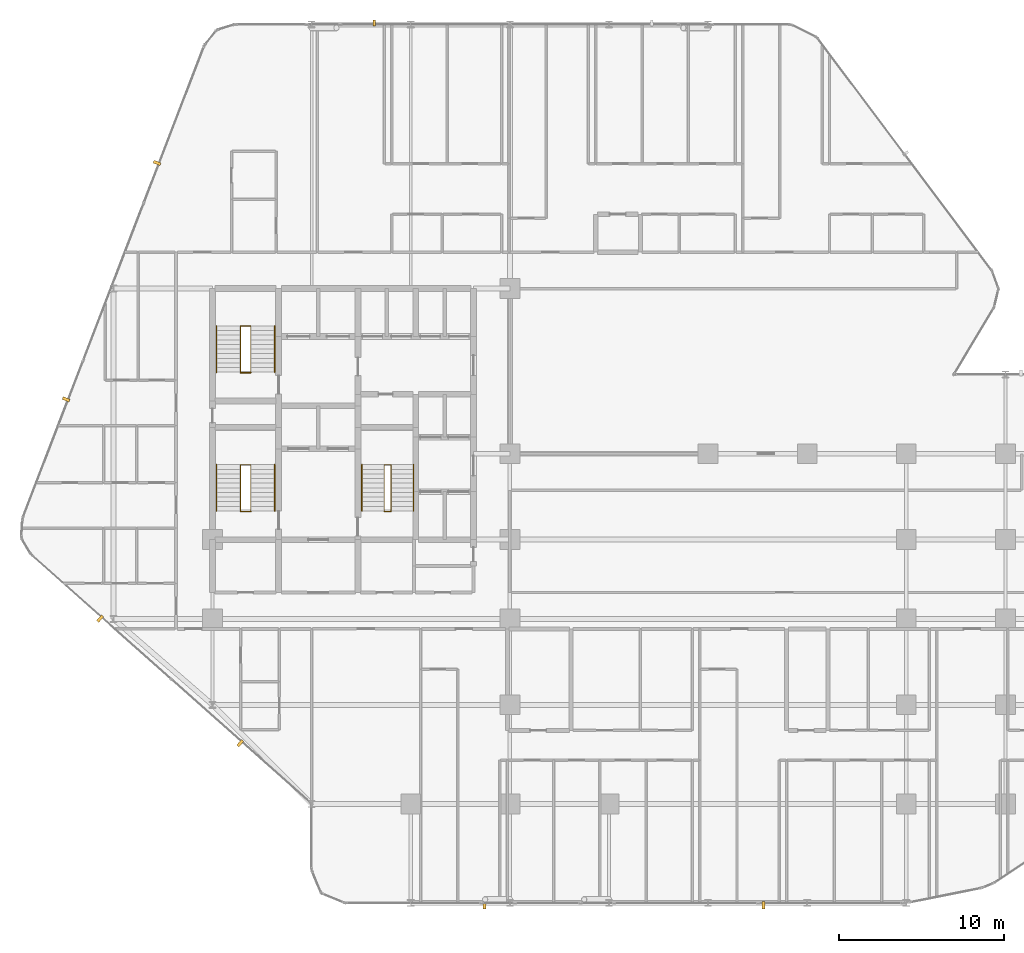
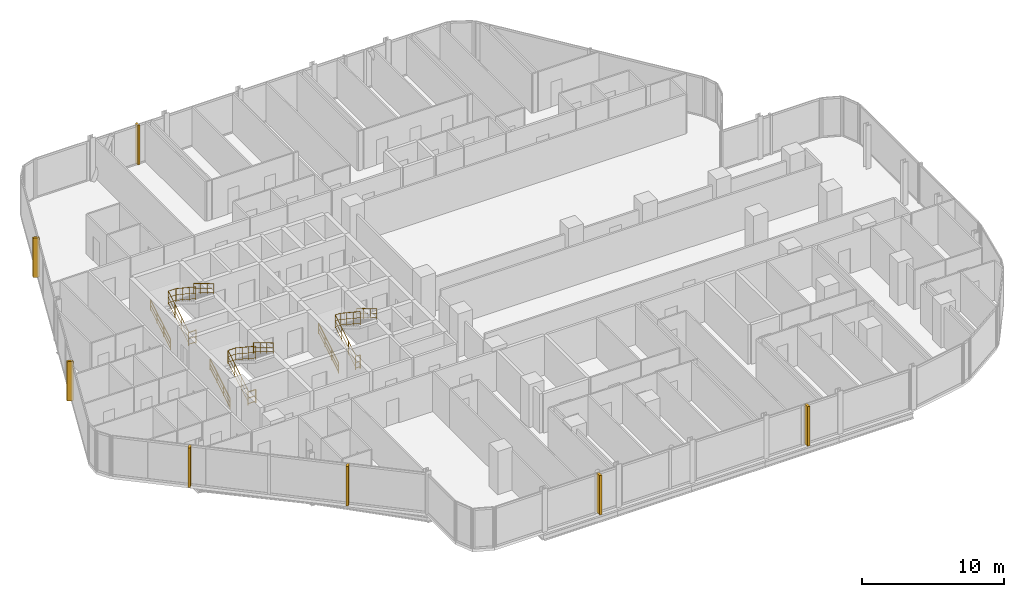
# One storey, part 33 of 34: 12 railings, 7 coverings.
"""IFC4 building model written with IfcOpenShell, lengths in metres."""

from ifc_helpers import new_model, si_unit, direction, frame, origin, origin_2d, place, context, subcontext, project, spatial, rectangle, circle, extrude, material, layer, layer_set, type_object, element, save


model = new_model("IFC4")

# Units and contexts
model_context = context("Model", 3, precision=1e-05, world=origin(), true_north=direction((0.0, 1.0)))
body_context = subcontext(model_context, "Body", "Model", "MODEL_VIEW")
ifc_project = project(units=[si_unit("LENGTHUNIT", "METRE"), si_unit("AREAUNIT", "SQUARE_METRE"), si_unit("VOLUMEUNIT", "CUBIC_METRE"), si_unit("PLANEANGLEUNIT", "RADIAN"), si_unit("MASSUNIT", "GRAM", prefix="KILO")], contexts=[model_context])

# Site, building, storey
site_placement = place(None, origin())
site = spatial("IfcSite", under=ifc_project, at=site_placement, CompositionType="ELEMENT")
building_placement = place(site_placement, origin())
building = spatial("IfcBuilding", under=site, at=building_placement, Name="Keshet Zoharim Tower", CompositionType="ELEMENT")
storey_placement = place(building_placement, frame((0.0, 0.0, 53.60009765625)))
storey = spatial("IfcBuildingStorey", under=building, at=storey_placement, Name="L12", CompositionType="ELEMENT", Elevation=53.60009765625)

# Coverings
ifc_material_1 = material(Name="Concrete C50/60 precast", Category="concrete")
covering_type_1 = type_object("IfcCoveringType", Name="FIN-SOL-360", PredefinedType="CLADDING", material=ifc_material_1)
covering_placement = place(storey_placement, frame((24.780029296875, 53.97998046875, 0.0), z_axis=(0.0, 0.0, 1.0), x_axis=(1.0, 0.0, 0.0)))
element("IfcCovering", 1, at=covering_placement, inside=storey, type_object=covering_type_1, Name="L12 Vertical Precast Solar Fin 05", PredefinedType="CLADDING", context=body_context, shape_type="SweptSolid", body=[
    extrude(rectangle(XDim=0.159912109375, YDim=0.360107421875, at=origin_2d()), origin(), (0.0, 0.0, 1.0), 3.385009765625),
])
covering_type_2 = type_object("IfcCoveringType", Name="FIN-SOL-450", PredefinedType="CLADDING", material=ifc_material_1)
for number, where, z_axis, x_axis, name in (
    (2, (16.676025390625, 10.376953125, 0.0), (0.0, 0.0, 1.0), (-0.747409318679, 0.664363838836, 0.0), "L12 Vertical Precast Solar Fin 01"),
    (3, (8.193115234375, 17.9169921875, 0.0), (0.0, 0.0, 1.0), (-0.747409318679, 0.664363838836, 0.0), "L12 Vertical Precast Solar Fin 02"),
    (4, (6.133056640625, 31.194091796875, 0.0), (0.0, 0.0, 1.0), (0.358990003907, 0.933341404361, 0.0), "L12 Vertical Precast Solar Fin 03"),
    (5, (11.637939453125, 45.507080078125, 0.0), (0.0, 0.0, 1.0), (0.358990003907, 0.933341404361, 0.0), "L12 Vertical Precast Solar Fin 04"),
    (6, (48.35205078125, 0.574951171875, 0.0), (0.0, 0.0, 1.0), (-1.0, 0.0, 0.0), "L12 Vertical Precast Solar Fin 10"),
    (7, (31.450927734375, 0.574951171875, 0.0), (0.0, 0.0, 1.0), (-1.0, 0.0, 0.0), "L12 Vertical Precast Solar Fin 11"),
):
    element("IfcCovering", number, at=place(storey_placement, frame(where, z_axis=z_axis, x_axis=x_axis)), inside=storey, type_object=covering_type_2, Name=name, PredefinedType="CLADDING", context=body_context, shape_type="SweptSolid", body=[
        extrude(rectangle(XDim=0.179931640625, YDim=0.449951171875, at=origin_2d()), origin(), (0.0, 0.0, 1.0), 3.385009765625),
    ])

# Railings
ifc_material_2 = material(Name="Steel S355", Category="steel")
ifc_layer_1 = layer(ifc_material_2, 0.050048828125)
ifc_layer_set_1 = layer_set([ifc_layer_1], Name="Steel S355")
railing_type_1 = type_object("IfcRailingType", Name="RL-HND-092", PredefinedType="HANDRAIL", material=ifc_layer_set_1)
railing_1_placement = place(storey_placement, frame((15.239990234375, 24.43994140625, 0.168212890625)))
element("IfcRailing", 8, at=railing_1_placement, inside=storey, type_object=railing_type_1, Name="L12 ST-01 Flight 1 Wall Handrail", PredefinedType="HANDRAIL", context=body_context, shape_type="SweptSolid", body=[
    extrude(circle(Radius=0.02392578125, at=origin_2d()), frame((0.0, 0.0, 0.89599609375), z_axis=(0.0, 0.857275202839, 0.514858452973), x_axis=(-1.0, 0.0, 0.0)), (0.0, 0.0, 1.0), 3.26611328125),
    extrude(circle(Radius=0.01611328125, at=origin_2d()), frame((0.0, 0.0, 0.478271484375), z_axis=(0.0, 0.857275202839, 0.514858452973), x_axis=(-1.0, 0.0, 0.0)), (0.0, 0.0, 1.0), 3.26611328125),
    extrude(circle(Radius=0.01611328125, at=origin_2d()), frame((0.0, 0.0, 0.1201171875), z_axis=(0.0, 0.857275202839, 0.514858452973), x_axis=(-1.0, 0.0, 0.0)), (0.0, 0.0, 1.0), 3.26611328125),
    extrude(circle(Radius=0.02099609375, at=origin_2d()), origin(), (0.0, 0.0, 1.0), 0.871826171875),
    extrude(circle(Radius=0.02099609375, at=origin_2d()), frame((0.0, 0.933349609375, 0.560546875)), (0.0, 0.0, 1.0), 0.871826171875),
    extrude(circle(Radius=0.02099609375, at=origin_2d()), frame((0.0, 1.86669921875, 1.12109375)), (0.0, 0.0, 1.0), 0.871826171875),
    extrude(circle(Radius=0.02099609375, at=origin_2d()), frame((0.0, 2.800048828125, 1.681640625)), (0.0, 0.0, 1.0), 0.871826171875),
])
railing_2_placement = place(storey_placement, frame((18.760009765625, 27.239990234375, 2.01806640625)))
element("IfcRailing", 9, at=railing_2_placement, inside=storey, type_object=railing_type_1, Name="L12 ST-01 Flight 2 Wall Handrail", PredefinedType="HANDRAIL", context=body_context, shape_type="SweptSolid", body=[
    extrude(circle(Radius=0.02392578125, at=origin_2d()), frame((0.0, 0.0, 0.89599609375), z_axis=(0.0, -0.857242210791, 0.514913383045), x_axis=(1.0, 0.0, 0.0)), (0.0, 0.0, 1.0), 3.266357421875),
    extrude(circle(Radius=0.01611328125, at=origin_2d()), frame((0.0, 0.0, 0.478271484375), z_axis=(0.0, -0.857242210791, 0.514913383045), x_axis=(1.0, 0.0, 0.0)), (0.0, 0.0, 1.0), 3.266357421875),
    extrude(circle(Radius=0.01611328125, at=origin_2d()), frame((0.0, 0.0, 0.1201171875), z_axis=(0.0, -0.857242210791, 0.514913383045), x_axis=(1.0, 0.0, 0.0)), (0.0, 0.0, 1.0), 3.266357421875),
    extrude(circle(Radius=0.02099609375, at=origin_2d()), origin(), (0.0, 0.0, 1.0), 0.871826171875),
    extrude(circle(Radius=0.02099609375, at=origin_2d()), frame((0.0, -0.933349609375, 0.560546875)), (0.0, 0.0, 1.0), 0.871826171875),
    extrude(circle(Radius=0.02099609375, at=origin_2d()), frame((0.0, -1.86669921875, 1.121337890625)), (0.0, 0.0, 1.0), 0.871826171875),
    extrude(circle(Radius=0.02099609375, at=origin_2d()), frame((0.0, -2.800048828125, 1.681884765625)), (0.0, 0.0, 1.0), 0.871826171875),
])
railing_3_placement = place(storey_placement, frame((15.239990234375, 32.840087890625, 0.168212890625)))
element("IfcRailing", 10, at=railing_3_placement, inside=storey, type_object=railing_type_1, Name="L12 ST-02 Flight 1 Wall Handrail", PredefinedType="HANDRAIL", context=body_context, shape_type="SweptSolid", body=[
    extrude(circle(Radius=0.02392578125, at=origin_2d()), frame((0.0, 0.0, 0.89599609375), z_axis=(0.0, 0.857255387014, 0.514891446264), x_axis=(-1.0, 0.0, 0.0)), (0.0, 0.0, 1.0), 3.26611328125),
    extrude(circle(Radius=0.01611328125, at=origin_2d()), frame((0.0, 0.0, 0.478271484375), z_axis=(0.0, 0.857255387014, 0.514891446264), x_axis=(-1.0, 0.0, 0.0)), (0.0, 0.0, 1.0), 3.26611328125),
    extrude(circle(Radius=0.01611328125, at=origin_2d()), frame((0.0, 0.0, 0.1201171875), z_axis=(0.0, 0.857255387014, 0.514891446264), x_axis=(-1.0, 0.0, 0.0)), (0.0, 0.0, 1.0), 3.26611328125),
    extrude(circle(Radius=0.02099609375, at=origin_2d()), origin(), (0.0, 0.0, 1.0), 0.871826171875),
    extrude(circle(Radius=0.02099609375, at=origin_2d()), frame((0.0, 0.933349609375, 0.560546875)), (0.0, 0.0, 1.0), 0.871826171875),
    extrude(circle(Radius=0.02099609375, at=origin_2d()), frame((0.0, 1.866455078125, 1.12109375)), (0.0, 0.0, 1.0), 0.871826171875),
    extrude(circle(Radius=0.02099609375, at=origin_2d()), frame((0.0, 2.7998046875, 1.681640625)), (0.0, 0.0, 1.0), 0.871826171875),
])
railing_4_placement = place(storey_placement, frame((18.760009765625, 35.639892578125, 2.01806640625)))
element("IfcRailing", 11, at=railing_4_placement, inside=storey, type_object=railing_type_1, Name="L12 ST-02 Flight 2 Wall Handrail", PredefinedType="HANDRAIL", context=body_context, shape_type="SweptSolid", body=[
    extrude(circle(Radius=0.02392578125, at=origin_2d()), frame((0.0, 0.0, 0.89599609375), z_axis=(0.0, -0.857222391501, 0.514946377315), x_axis=(1.0, 0.0, 0.0)), (0.0, 0.0, 1.0), 3.26611328125),
    extrude(circle(Radius=0.01611328125, at=origin_2d()), frame((0.0, 0.0, 0.478271484375), z_axis=(0.0, -0.857222391501, 0.514946377315), x_axis=(1.0, 0.0, 0.0)), (0.0, 0.0, 1.0), 3.26611328125),
    extrude(circle(Radius=0.01611328125, at=origin_2d()), frame((0.0, 0.0, 0.1201171875), z_axis=(0.0, -0.857222391501, 0.514946377315), x_axis=(1.0, 0.0, 0.0)), (0.0, 0.0, 1.0), 3.26611328125),
    extrude(circle(Radius=0.02099609375, at=origin_2d()), origin(), (0.0, 0.0, 1.0), 0.871826171875),
    extrude(circle(Radius=0.02099609375, at=origin_2d()), frame((0.0, -0.933349609375, 0.560546875)), (0.0, 0.0, 1.0), 0.871826171875),
    extrude(circle(Radius=0.02099609375, at=origin_2d()), frame((0.0, -1.866455078125, 1.121337890625)), (0.0, 0.0, 1.0), 0.871826171875),
    extrude(circle(Radius=0.02099609375, at=origin_2d()), frame((0.0, -2.7998046875, 1.681884765625)), (0.0, 0.0, 1.0), 0.871826171875),
])
railing_5_placement = place(storey_placement, frame((24.0400390625, 24.43994140625, 0.168212890625)))
element("IfcRailing", 12, at=railing_5_placement, inside=storey, type_object=railing_type_1, Name="L12 ST-03 Flight 1 Wall Handrail", PredefinedType="HANDRAIL", context=body_context, shape_type="SweptSolid", body=[
    extrude(circle(Radius=0.02392578125, at=origin_2d()), frame((0.0, 0.0, 0.89599609375), z_axis=(0.0, 0.857275202839, 0.514858452973), x_axis=(-1.0, 0.0, 0.0)), (0.0, 0.0, 1.0), 3.26611328125),
    extrude(circle(Radius=0.01611328125, at=origin_2d()), frame((0.0, 0.0, 0.478271484375), z_axis=(0.0, 0.857275202839, 0.514858452973), x_axis=(-1.0, 0.0, 0.0)), (0.0, 0.0, 1.0), 3.26611328125),
    extrude(circle(Radius=0.01611328125, at=origin_2d()), frame((0.0, 0.0, 0.1201171875), z_axis=(0.0, 0.857275202839, 0.514858452973), x_axis=(-1.0, 0.0, 0.0)), (0.0, 0.0, 1.0), 3.26611328125),
    extrude(circle(Radius=0.02099609375, at=origin_2d()), origin(), (0.0, 0.0, 1.0), 0.871826171875),
    extrude(circle(Radius=0.02099609375, at=origin_2d()), frame((0.0, 0.933349609375, 0.560546875)), (0.0, 0.0, 1.0), 0.871826171875),
    extrude(circle(Radius=0.02099609375, at=origin_2d()), frame((0.0, 1.86669921875, 1.12109375)), (0.0, 0.0, 1.0), 0.871826171875),
    extrude(circle(Radius=0.02099609375, at=origin_2d()), frame((0.0, 2.800048828125, 1.681640625)), (0.0, 0.0, 1.0), 0.871826171875),
])
railing_6_placement = place(storey_placement, frame((27.159912109375, 27.239990234375, 2.01806640625)))
element("IfcRailing", 13, at=railing_6_placement, inside=storey, type_object=railing_type_1, Name="L12 ST-03 Flight 2 Wall Handrail", PredefinedType="HANDRAIL", context=body_context, shape_type="SweptSolid", body=[
    extrude(circle(Radius=0.02392578125, at=origin_2d()), frame((0.0, 0.0, 0.89599609375), z_axis=(0.0, -0.857242210791, 0.514913383045), x_axis=(1.0, 0.0, 0.0)), (0.0, 0.0, 1.0), 3.266357421875),
    extrude(circle(Radius=0.01611328125, at=origin_2d()), frame((0.0, 0.0, 0.478271484375), z_axis=(0.0, -0.857242210791, 0.514913383045), x_axis=(1.0, 0.0, 0.0)), (0.0, 0.0, 1.0), 3.266357421875),
    extrude(circle(Radius=0.01611328125, at=origin_2d()), frame((0.0, 0.0, 0.1201171875), z_axis=(0.0, -0.857242210791, 0.514913383045), x_axis=(1.0, 0.0, 0.0)), (0.0, 0.0, 1.0), 3.266357421875),
    extrude(circle(Radius=0.02099609375, at=origin_2d()), origin(), (0.0, 0.0, 1.0), 0.871826171875),
    extrude(circle(Radius=0.02099609375, at=origin_2d()), frame((0.0, -0.933349609375, 0.560546875)), (0.0, 0.0, 1.0), 0.871826171875),
    extrude(circle(Radius=0.02099609375, at=origin_2d()), frame((0.0, -1.86669921875, 1.121337890625)), (0.0, 0.0, 1.0), 0.871826171875),
    extrude(circle(Radius=0.02099609375, at=origin_2d()), frame((0.0, -2.800048828125, 1.681884765625)), (0.0, 0.0, 1.0), 0.871826171875),
])
ifc_layer_2 = layer(ifc_material_2, 0.06005859375)
ifc_layer_set_2 = layer_set([ifc_layer_2], Name="Steel S355")
railing_type_2 = type_object("IfcRailingType", Name="RL-STG-115", PredefinedType="GUARDRAIL", material=ifc_layer_set_2)
railing_7_placement = place(storey_placement, frame((16.68994140625, 24.43994140625, 0.168212890625)))
element("IfcRailing", 14, at=railing_7_placement, inside=storey, type_object=railing_type_2, Name="L12 ST-01 Inner Well Guardrail", PredefinedType="GUARDRAIL", context=body_context, shape_type="SweptSolid", body=[
    extrude(circle(Radius=0.02392578125, at=origin_2d()), frame((0.0, 0.0, 1.1259765625), z_axis=(0.0, 0.857275202839, 0.514858452973), x_axis=(-1.0, 0.0, 0.0)), (0.0, 0.0, 1.0), 3.26611328125),
    extrude(circle(Radius=0.01611328125, at=origin_2d()), frame((0.0, 0.0, 0.597900390625), z_axis=(0.0, 0.857275202839, 0.514858452973), x_axis=(-1.0, 0.0, 0.0)), (0.0, 0.0, 1.0), 3.26611328125),
    extrude(circle(Radius=0.01611328125, at=origin_2d()), frame((0.0, 0.0, 0.1201171875), z_axis=(0.0, 0.857275202839, 0.514858452973), x_axis=(-1.0, 0.0, 0.0)), (0.0, 0.0, 1.0), 3.26611328125),
    extrude(circle(Radius=0.02392578125, at=origin_2d()), frame((0.0, 2.800048828125, 2.8076171875), z_axis=(1.0, 0.0, 0.0), x_axis=(0.0, 1.0, 0.0)), (0.0, 0.0, 1.0), 0.6201171875),
    extrude(circle(Radius=0.01611328125, at=origin_2d()), frame((0.0, 2.800048828125, 2.279541015625), z_axis=(1.0, 0.0, 0.0), x_axis=(0.0, 1.0, 0.0)), (0.0, 0.0, 1.0), 0.6201171875),
    extrude(circle(Radius=0.01611328125, at=origin_2d()), frame((0.0, 2.800048828125, 1.8017578125), z_axis=(1.0, 0.0, 0.0), x_axis=(0.0, 1.0, 0.0)), (0.0, 0.0, 1.0), 0.6201171875),
    extrude(circle(Radius=0.02392578125, at=origin_2d()), frame((0.6201171875, 2.800048828125, 2.8076171875), z_axis=(0.0, -0.834326358476, 0.551270829586), x_axis=(1.0, 0.0, 0.0)), (0.0, 0.0, 1.0), 3.35595703125),
    extrude(circle(Radius=0.01611328125, at=origin_2d()), frame((0.6201171875, 2.800048828125, 2.279541015625), z_axis=(0.0, -0.834326358476, 0.551270829586), x_axis=(1.0, 0.0, 0.0)), (0.0, 0.0, 1.0), 3.35595703125),
    extrude(circle(Radius=0.01611328125, at=origin_2d()), frame((0.6201171875, 2.800048828125, 1.8017578125), z_axis=(0.0, -0.834326358476, 0.551270829586), x_axis=(1.0, 0.0, 0.0)), (0.0, 0.0, 1.0), 3.35595703125),
    extrude(circle(Radius=0.02099609375, at=origin_2d()), origin(), (0.0, 0.0, 1.0), 1.101806640625),
    extrude(circle(Radius=0.02099609375, at=origin_2d()), frame((0.0, 0.933349609375, 0.560546875)), (0.0, 0.0, 1.0), 1.101806640625),
    extrude(circle(Radius=0.02099609375, at=origin_2d()), frame((0.0, 1.86669921875, 1.12109375)), (0.0, 0.0, 1.0), 1.101806640625),
    extrude(circle(Radius=0.02099609375, at=origin_2d()), frame((0.0, 2.800048828125, 1.681640625)), (0.0, 0.0, 1.0), 1.101806640625),
    extrude(circle(Radius=0.02099609375, at=origin_2d()), frame((0.6201171875, 2.800048828125, 1.681640625)), (0.0, 0.0, 1.0), 1.101806640625),
    extrude(circle(Radius=0.02099609375, at=origin_2d()), frame((0.6201171875, 1.86669921875, 2.29833984375)), (0.0, 0.0, 1.0), 1.101806640625),
    extrude(circle(Radius=0.02099609375, at=origin_2d()), frame((0.6201171875, 0.933349609375, 2.9150390625)), (0.0, 0.0, 1.0), 1.101806640625),
    extrude(circle(Radius=0.02099609375, at=origin_2d()), frame((0.6201171875, 0.0, 3.53173828125)), (0.0, 0.0, 1.0), 1.101806640625),
])
railing_8_placement = place(storey_placement, frame((16.68994140625, 24.409912109375, 0.0)))
element("IfcRailing", 15, at=railing_8_placement, inside=storey, type_object=railing_type_2, Name="L12 ST-01 Stairwell Floor Guardrail", PredefinedType="GUARDRAIL", context=body_context, shape_type="SweptSolid", body=[
    extrude(circle(Radius=0.02392578125, at=origin_2d()), frame((0.0, 0.0, 1.1259765625), z_axis=(1.0, 0.0, 0.0), x_axis=(0.0, 1.0, 0.0)), (0.0, 0.0, 1.0), 0.6201171875),
    extrude(circle(Radius=0.01611328125, at=origin_2d()), frame((0.0, 0.0, 0.597900390625), z_axis=(1.0, 0.0, 0.0), x_axis=(0.0, 1.0, 0.0)), (0.0, 0.0, 1.0), 0.6201171875),
    extrude(circle(Radius=0.01611328125, at=origin_2d()), frame((0.0, 0.0, 0.1201171875), z_axis=(1.0, 0.0, 0.0), x_axis=(0.0, 1.0, 0.0)), (0.0, 0.0, 1.0), 0.6201171875),
    extrude(circle(Radius=0.02099609375, at=origin_2d()), origin(), (0.0, 0.0, 1.0), 1.101806640625),
    extrude(circle(Radius=0.02099609375, at=origin_2d()), frame((0.6201171875, 0.0, 0.0)), (0.0, 0.0, 1.0), 1.101806640625),
])
railing_9_placement = place(storey_placement, frame((16.68994140625, 32.840087890625, 0.168212890625)))
element("IfcRailing", 16, at=railing_9_placement, inside=storey, type_object=railing_type_2, Name="L12 ST-02 Inner Well Guardrail", PredefinedType="GUARDRAIL", context=body_context, shape_type="SweptSolid", body=[
    extrude(circle(Radius=0.02392578125, at=origin_2d()), frame((0.0, 0.0, 1.1259765625), z_axis=(0.0, 0.857255387014, 0.514891446264), x_axis=(-1.0, 0.0, 0.0)), (0.0, 0.0, 1.0), 3.26611328125),
    extrude(circle(Radius=0.01611328125, at=origin_2d()), frame((0.0, 0.0, 0.597900390625), z_axis=(0.0, 0.857255387014, 0.514891446264), x_axis=(-1.0, 0.0, 0.0)), (0.0, 0.0, 1.0), 3.26611328125),
    extrude(circle(Radius=0.01611328125, at=origin_2d()), frame((0.0, 0.0, 0.1201171875), z_axis=(0.0, 0.857255387014, 0.514891446264), x_axis=(-1.0, 0.0, 0.0)), (0.0, 0.0, 1.0), 3.26611328125),
    extrude(circle(Radius=0.02392578125, at=origin_2d()), frame((0.0, 2.7998046875, 2.8076171875), z_axis=(1.0, 0.0, 0.0), x_axis=(0.0, 1.0, 0.0)), (0.0, 0.0, 1.0), 0.6201171875),
    extrude(circle(Radius=0.01611328125, at=origin_2d()), frame((0.0, 2.7998046875, 2.279541015625), z_axis=(1.0, 0.0, 0.0), x_axis=(0.0, 1.0, 0.0)), (0.0, 0.0, 1.0), 0.6201171875),
    extrude(circle(Radius=0.01611328125, at=origin_2d()), frame((0.0, 2.7998046875, 1.8017578125), z_axis=(1.0, 0.0, 0.0), x_axis=(0.0, 1.0, 0.0)), (0.0, 0.0, 1.0), 0.6201171875),
    extrude(circle(Radius=0.02392578125, at=origin_2d()), frame((0.6201171875, 2.7998046875, 2.8076171875), z_axis=(0.0, -0.834304248922, 0.551304290053), x_axis=(1.0, 0.0, 0.0)), (0.0, 0.0, 1.0), 3.35595703125),
    extrude(circle(Radius=0.01611328125, at=origin_2d()), frame((0.6201171875, 2.7998046875, 2.279541015625), z_axis=(0.0, -0.834304248922, 0.551304290053), x_axis=(1.0, 0.0, 0.0)), (0.0, 0.0, 1.0), 3.35595703125),
    extrude(circle(Radius=0.01611328125, at=origin_2d()), frame((0.6201171875, 2.7998046875, 1.8017578125), z_axis=(0.0, -0.834304248922, 0.551304290053), x_axis=(1.0, 0.0, 0.0)), (0.0, 0.0, 1.0), 3.35595703125),
    extrude(circle(Radius=0.02099609375, at=origin_2d()), origin(), (0.0, 0.0, 1.0), 1.101806640625),
    extrude(circle(Radius=0.02099609375, at=origin_2d()), frame((0.0, 0.933349609375, 0.560546875)), (0.0, 0.0, 1.0), 1.101806640625),
    extrude(circle(Radius=0.02099609375, at=origin_2d()), frame((0.0, 1.866455078125, 1.12109375)), (0.0, 0.0, 1.0), 1.101806640625),
    extrude(circle(Radius=0.02099609375, at=origin_2d()), frame((0.0, 2.7998046875, 1.681640625)), (0.0, 0.0, 1.0), 1.101806640625),
    extrude(circle(Radius=0.02099609375, at=origin_2d()), frame((0.6201171875, 2.7998046875, 1.681640625)), (0.0, 0.0, 1.0), 1.101806640625),
    extrude(circle(Radius=0.02099609375, at=origin_2d()), frame((0.6201171875, 1.866455078125, 2.29833984375)), (0.0, 0.0, 1.0), 1.101806640625),
    extrude(circle(Radius=0.02099609375, at=origin_2d()), frame((0.6201171875, 0.933349609375, 2.9150390625)), (0.0, 0.0, 1.0), 1.101806640625),
    extrude(circle(Radius=0.02099609375, at=origin_2d()), frame((0.6201171875, 0.0, 3.53173828125)), (0.0, 0.0, 1.0), 1.101806640625),
])
railing_10_placement = place(storey_placement, frame((16.68994140625, 32.81005859375, 0.0)))
element("IfcRailing", 17, at=railing_10_placement, inside=storey, type_object=railing_type_2, Name="L12 ST-02 Stairwell Floor Guardrail", PredefinedType="GUARDRAIL", context=body_context, shape_type="SweptSolid", body=[
    extrude(circle(Radius=0.02392578125, at=origin_2d()), frame((0.0, 0.0, 1.1259765625), z_axis=(1.0, 0.0, 0.0), x_axis=(0.0, 1.0, 0.0)), (0.0, 0.0, 1.0), 0.6201171875),
    extrude(circle(Radius=0.01611328125, at=origin_2d()), frame((0.0, 0.0, 0.597900390625), z_axis=(1.0, 0.0, 0.0), x_axis=(0.0, 1.0, 0.0)), (0.0, 0.0, 1.0), 0.6201171875),
    extrude(circle(Radius=0.01611328125, at=origin_2d()), frame((0.0, 0.0, 0.1201171875), z_axis=(1.0, 0.0, 0.0), x_axis=(0.0, 1.0, 0.0)), (0.0, 0.0, 1.0), 0.6201171875),
    extrude(circle(Radius=0.02099609375, at=origin_2d()), origin(), (0.0, 0.0, 1.0), 1.101806640625),
    extrude(circle(Radius=0.02099609375, at=origin_2d()), frame((0.6201171875, 0.0, 0.0)), (0.0, 0.0, 1.0), 1.101806640625),
])
railing_11_placement = place(storey_placement, frame((25.39990234375, 24.43994140625, 0.168212890625)))
element("IfcRailing", 18, at=railing_11_placement, inside=storey, type_object=railing_type_2, Name="L12 ST-03 Inner Well Guardrail", PredefinedType="GUARDRAIL", context=body_context, shape_type="SweptSolid", body=[
    extrude(circle(Radius=0.02392578125, at=origin_2d()), frame((0.0, 0.0, 1.1259765625), z_axis=(0.0, 0.857275202839, 0.514858452973), x_axis=(-1.0, 0.0, 0.0)), (0.0, 0.0, 1.0), 3.26611328125),
    extrude(circle(Radius=0.01611328125, at=origin_2d()), frame((0.0, 0.0, 0.597900390625), z_axis=(0.0, 0.857275202839, 0.514858452973), x_axis=(-1.0, 0.0, 0.0)), (0.0, 0.0, 1.0), 3.26611328125),
    extrude(circle(Radius=0.01611328125, at=origin_2d()), frame((0.0, 0.0, 0.1201171875), z_axis=(0.0, 0.857275202839, 0.514858452973), x_axis=(-1.0, 0.0, 0.0)), (0.0, 0.0, 1.0), 3.26611328125),
    extrude(circle(Radius=0.02392578125, at=origin_2d()), frame((0.0, 2.800048828125, 2.8076171875), z_axis=(1.0, 0.0, 0.0), x_axis=(0.0, 1.0, 0.0)), (0.0, 0.0, 1.0), 0.400146484375),
    extrude(circle(Radius=0.01611328125, at=origin_2d()), frame((0.0, 2.800048828125, 2.279541015625), z_axis=(1.0, 0.0, 0.0), x_axis=(0.0, 1.0, 0.0)), (0.0, 0.0, 1.0), 0.400146484375),
    extrude(circle(Radius=0.01611328125, at=origin_2d()), frame((0.0, 2.800048828125, 1.8017578125), z_axis=(1.0, 0.0, 0.0), x_axis=(0.0, 1.0, 0.0)), (0.0, 0.0, 1.0), 0.400146484375),
    extrude(circle(Radius=0.02392578125, at=origin_2d()), frame((0.400146484375, 2.800048828125, 2.8076171875), z_axis=(0.0, -0.834326358476, 0.551270829586), x_axis=(1.0, 0.0, 0.0)), (0.0, 0.0, 1.0), 3.35595703125),
    extrude(circle(Radius=0.01611328125, at=origin_2d()), frame((0.400146484375, 2.800048828125, 2.279541015625), z_axis=(0.0, -0.834326358476, 0.551270829586), x_axis=(1.0, 0.0, 0.0)), (0.0, 0.0, 1.0), 3.35595703125),
    extrude(circle(Radius=0.01611328125, at=origin_2d()), frame((0.400146484375, 2.800048828125, 1.8017578125), z_axis=(0.0, -0.834326358476, 0.551270829586), x_axis=(1.0, 0.0, 0.0)), (0.0, 0.0, 1.0), 3.35595703125),
    extrude(circle(Radius=0.02099609375, at=origin_2d()), origin(), (0.0, 0.0, 1.0), 1.101806640625),
    extrude(circle(Radius=0.02099609375, at=origin_2d()), frame((0.0, 0.933349609375, 0.560546875)), (0.0, 0.0, 1.0), 1.101806640625),
    extrude(circle(Radius=0.02099609375, at=origin_2d()), frame((0.0, 1.86669921875, 1.12109375)), (0.0, 0.0, 1.0), 1.101806640625),
    extrude(circle(Radius=0.02099609375, at=origin_2d()), frame((0.0, 2.800048828125, 1.681640625)), (0.0, 0.0, 1.0), 1.101806640625),
    extrude(circle(Radius=0.02099609375, at=origin_2d()), frame((0.400146484375, 2.800048828125, 1.681640625)), (0.0, 0.0, 1.0), 1.101806640625),
    extrude(circle(Radius=0.02099609375, at=origin_2d()), frame((0.400146484375, 1.86669921875, 2.29833984375)), (0.0, 0.0, 1.0), 1.101806640625),
    extrude(circle(Radius=0.02099609375, at=origin_2d()), frame((0.400146484375, 0.933349609375, 2.9150390625)), (0.0, 0.0, 1.0), 1.101806640625),
    extrude(circle(Radius=0.02099609375, at=origin_2d()), frame((0.400146484375, 0.0, 3.53173828125)), (0.0, 0.0, 1.0), 1.101806640625),
])
railing_12_placement = place(storey_placement, frame((25.39990234375, 24.409912109375, 0.0)))
element("IfcRailing", 19, at=railing_12_placement, inside=storey, type_object=railing_type_2, Name="L12 ST-03 Stairwell Floor Guardrail", PredefinedType="GUARDRAIL", context=body_context, shape_type="SweptSolid", body=[
    extrude(circle(Radius=0.02392578125, at=origin_2d()), frame((0.0, 0.0, 1.1259765625), z_axis=(1.0, 0.0, 0.0), x_axis=(0.0, 1.0, 0.0)), (0.0, 0.0, 1.0), 0.400146484375),
    extrude(circle(Radius=0.01611328125, at=origin_2d()), frame((0.0, 0.0, 0.597900390625), z_axis=(1.0, 0.0, 0.0), x_axis=(0.0, 1.0, 0.0)), (0.0, 0.0, 1.0), 0.400146484375),
    extrude(circle(Radius=0.01611328125, at=origin_2d()), frame((0.0, 0.0, 0.1201171875), z_axis=(1.0, 0.0, 0.0), x_axis=(0.0, 1.0, 0.0)), (0.0, 0.0, 1.0), 0.400146484375),
    extrude(circle(Radius=0.02099609375, at=origin_2d()), origin(), (0.0, 0.0, 1.0), 1.101806640625),
    extrude(circle(Radius=0.02099609375, at=origin_2d()), frame((0.400146484375, 0.0, 0.0)), (0.0, 0.0, 1.0), 1.101806640625),
])

save(model, "model.ifc")
